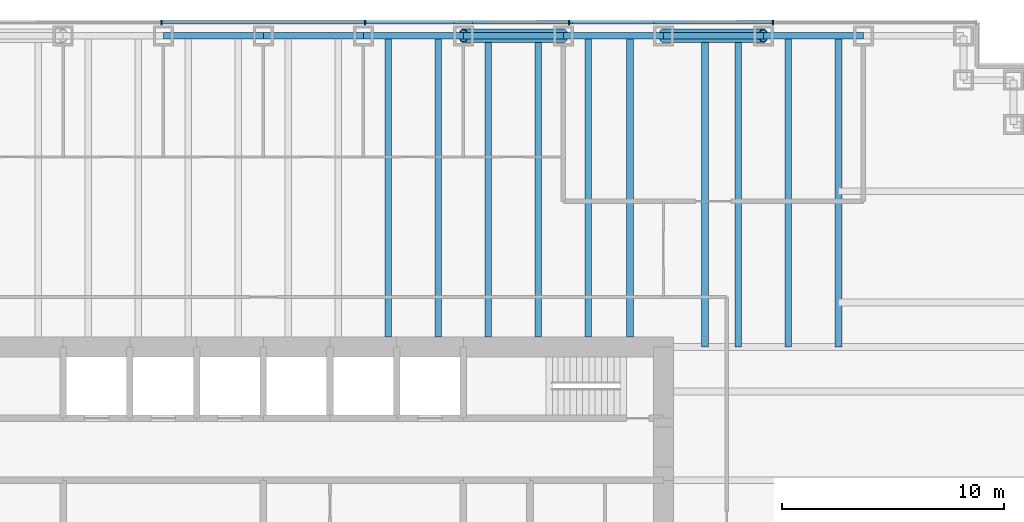
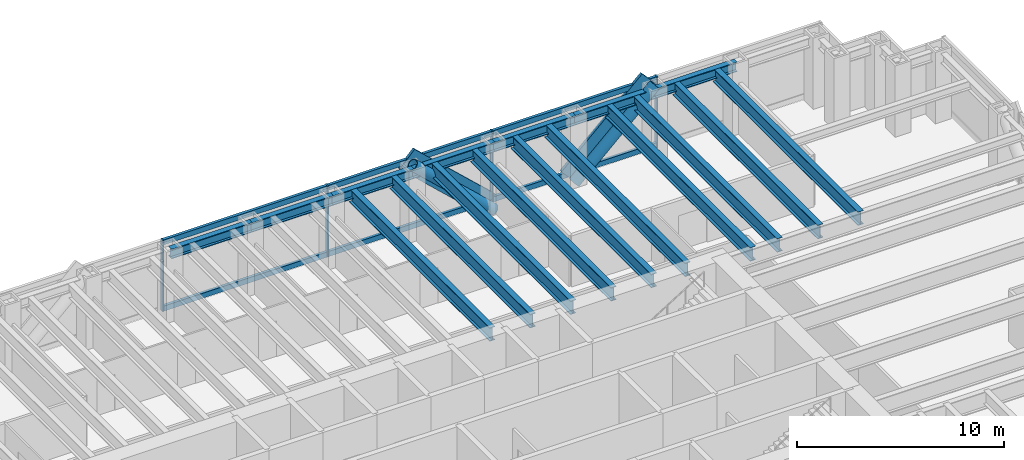
# One storey, part 7 of 15: 17 beams, 14 members, 1 element without a shape of its own.
"""IFC4 building model written with IfcOpenShell, lengths in metres."""

from ifc_helpers import new_model, si_unit, direction, frame, origin, origin_2d, place, context, subcontext, project, spatial, rectangle, hollow_circle, i_section, extrude, material, material_profile, profile_set, type_object, element, aggregate, save


model = new_model("IFC4")

# Units and contexts
model_context = context("Model", 3, precision=1e-05, world=origin(), true_north=direction((0.0, 1.0)))
body_context = subcontext(model_context, "Body", "Model", "MODEL_VIEW")
ifc_project = project(units=[si_unit("LENGTHUNIT", "METRE"), si_unit("AREAUNIT", "SQUARE_METRE"), si_unit("VOLUMEUNIT", "CUBIC_METRE"), si_unit("PLANEANGLEUNIT", "RADIAN"), si_unit("MASSUNIT", "GRAM", prefix="KILO")], contexts=[model_context])

# Site, building, storey
site_placement = place(None, origin())
site = spatial("IfcSite", under=ifc_project, at=site_placement, CompositionType="ELEMENT")
building_placement = place(site_placement, origin())
building = spatial("IfcBuilding", under=site, at=building_placement, Name="Rheinbord Bourse Tower", CompositionType="ELEMENT")
storey_placement = place(building_placement, frame((0.0, 0.0, 113.10009765625)))
storey = spatial("IfcBuildingStorey", under=building, at=storey_placement, Name="L24", CompositionType="ELEMENT", Elevation=113.10009765625)

# Curtain wall, members
ifc_material_1 = material(Name="Dark glass and black aluminium", Category="aluminium")
curtain_wall_type = type_object("IfcCurtainWallType", Name="CW2 DARK GLASS CURTAIN WALL", PredefinedType="USERDEFINED", material=ifc_material_1)
curtain_wall_placement = place(storey_placement, origin())
curtain_wall = element("IfcCurtainWall", 1, at=curtain_wall_placement, inside=storey, type_object=curtain_wall_type, Name="Curtain wall CW2 N L24", ObjectType="UNITISED CURTAIN WALL", PredefinedType="USERDEFINED")
ifc_material_2 = material(Name="Black anodised aluminium", Category="aluminium")
ifc_material_profile_1 = material_profile(ifc_material_2, rectangle(XDim=0.159912109375, YDim=1.2099609375, at=origin_2d()), Name="CW2 DIAGONAL MULLION 1210x160")
ifc_profile_set_1 = profile_set([ifc_material_profile_1], Name="Black anodised aluminium")
member_type_1 = type_object("IfcMemberType", Name="CW2 BLACK DIAGONAL MULLION", PredefinedType="USERDEFINED", material=ifc_profile_set_1)
member_1_placement = place(storey_placement, frame((54.0, 46.60009765625, 0.0), z_axis=(0.73105922506, 0.0, 0.682314010889), x_axis=(0.0, 1.0, 0.0)))
member_1 = element("IfcMember", 2, at=member_1_placement, type_object=member_type_1, Name="CW2 diagonal mullion b", ObjectType="DIAGONAL MULLION", PredefinedType="USERDEFINED", context=body_context, shape_type="SweptSolid", body=[
    extrude(rectangle(XDim=0.159912109375, YDim=1.2099609375, at=origin_2d()), origin(), (0.0, 0.0, 1.0), 6.155517578125),
])
member_2_placement = place(storey_placement, frame((49.5, 46.60009765625, 0.0), z_axis=(-0.73105922506, 0.0, 0.682314010889), x_axis=(0.0, -1.0, 0.0)))
member_2 = element("IfcMember", 3, at=member_2_placement, type_object=member_type_1, Name="CW2 diagonal mullion d", ObjectType="DIAGONAL MULLION", PredefinedType="USERDEFINED", context=body_context, shape_type="SweptSolid", body=[
    extrude(rectangle(XDim=0.159912109375, YDim=1.2099609375, at=origin_2d()), origin(), (0.0, 0.0, 1.0), 6.155517578125),
])
ifc_material_3 = material(Name="Black anodised aluminium", Category="aluminium")
ifc_material_profile_2 = material_profile(ifc_material_3, rectangle(XDim=0.219970703125, YDim=0.070068359375, at=origin_2d()), Name="CW2 MULLION 70x220")
ifc_profile_set_2 = profile_set([ifc_material_profile_2], Name="Black anodised aluminium")
member_type_2 = type_object("IfcMemberType", Name="CW2 BLACK MULLION", PredefinedType="MULLION", material=ifc_profile_set_2)
member_3_placement = place(storey_placement, frame((58.928466796875, 46.60009765625, 0.0), z_axis=(0.0, 0.0, 1.0), x_axis=(0.0, -1.0, 0.0)))
member_3 = element("IfcMember", 4, at=member_3_placement, type_object=member_type_2, Name="CW2 mullion 2", PredefinedType="MULLION", context=body_context, shape_type="SweptSolid", body=[
    extrude(rectangle(XDim=0.219970703125, YDim=0.070068359375, at=origin_2d()), origin(), (0.0, 0.0, 1.0), 4.199951171875),
])
member_4_placement = place(storey_placement, frame((49.757080078125, 46.60009765625, 0.0), z_axis=(0.0, 0.0, 1.0), x_axis=(0.0, -1.0, 0.0)))
member_4 = element("IfcMember", 5, at=member_4_placement, type_object=member_type_2, Name="CW2 mullion 3", PredefinedType="MULLION", context=body_context, shape_type="SweptSolid", body=[
    extrude(rectangle(XDim=0.219970703125, YDim=0.070068359375, at=origin_2d()), origin(), (0.0, 0.0, 1.0), 4.199951171875),
])
member_5_placement = place(storey_placement, frame((40.585693359375, 46.60009765625, 0.0), z_axis=(0.0, 0.0, 1.0), x_axis=(0.0, -1.0, 0.0)))
member_5 = element("IfcMember", 6, at=member_5_placement, type_object=member_type_2, Name="CW2 mullion 4", PredefinedType="MULLION", context=body_context, shape_type="SweptSolid", body=[
    extrude(rectangle(XDim=0.219970703125, YDim=0.070068359375, at=origin_2d()), origin(), (0.0, 0.0, 1.0), 4.199951171875),
])
member_6_placement = place(storey_placement, frame((31.414306640625, 46.60009765625, 0.0), z_axis=(0.0, 0.0, 1.0), x_axis=(0.0, -1.0, 0.0)))
member_6 = element("IfcMember", 7, at=member_6_placement, type_object=member_type_2, Name="CW2 mullion 5", PredefinedType="MULLION", context=body_context, shape_type="SweptSolid", body=[
    extrude(rectangle(XDim=0.219970703125, YDim=0.070068359375, at=origin_2d()), origin(), (0.0, 0.0, 1.0), 4.199951171875),
])
ifc_material_4 = material(Name="Black anodised aluminium", Category="aluminium")
ifc_material_profile_3 = material_profile(ifc_material_4, rectangle(XDim=0.159912109375, YDim=0.300048828125, at=origin_2d()), Name="CW2 TRANSOM 300x160")
ifc_profile_set_3 = profile_set([ifc_material_profile_3], Name="Black anodised aluminium")
member_type_3 = type_object("IfcMemberType", Name="CW2 BLACK TRANSOM", PredefinedType="USERDEFINED", material=ifc_profile_set_3)
member_7_placement = place(storey_placement, frame((58.8935546875, 46.60009765625, 0.14990234375), z_axis=(-1.0, 0.0, 0.0), x_axis=(0.0, -1.0, 0.0)))
member_7 = element("IfcMember", 8, at=member_7_placement, type_object=member_type_3, Name="CW2 transom 2.1", ObjectType="TRANSOM", PredefinedType="USERDEFINED", context=body_context, shape_type="SweptSolid", body=[
    extrude(rectangle(XDim=0.159912109375, YDim=0.300048828125, at=origin_2d()), origin(), (0.0, 0.0, 1.0), 9.101318359375),
])
member_8_placement = place(storey_placement, frame((58.8935546875, 46.60009765625, 4.0498046875), z_axis=(-1.0, 0.0, 0.0), x_axis=(0.0, -1.0, 0.0)))
member_8 = element("IfcMember", 9, at=member_8_placement, type_object=member_type_3, Name="CW2 transom 2.2", ObjectType="TRANSOM", PredefinedType="USERDEFINED", context=body_context, shape_type="SweptSolid", body=[
    extrude(rectangle(XDim=0.159912109375, YDim=0.300048828125, at=origin_2d()), origin(), (0.0, 0.0, 1.0), 9.101318359375),
])
member_9_placement = place(storey_placement, frame((49.72216796875, 46.60009765625, 0.14990234375), z_axis=(-1.0, 0.0, 0.0), x_axis=(0.0, -1.0, 0.0)))
member_9 = element("IfcMember", 10, at=member_9_placement, type_object=member_type_3, Name="CW2 transom 3.1", ObjectType="TRANSOM", PredefinedType="USERDEFINED", context=body_context, shape_type="SweptSolid", body=[
    extrude(rectangle(XDim=0.159912109375, YDim=0.300048828125, at=origin_2d()), origin(), (0.0, 0.0, 1.0), 9.1015625),
])
member_10_placement = place(storey_placement, frame((49.72216796875, 46.60009765625, 4.0498046875), z_axis=(-1.0, 0.0, 0.0), x_axis=(0.0, -1.0, 0.0)))
member_10 = element("IfcMember", 11, at=member_10_placement, type_object=member_type_3, Name="CW2 transom 3.2", ObjectType="TRANSOM", PredefinedType="USERDEFINED", context=body_context, shape_type="SweptSolid", body=[
    extrude(rectangle(XDim=0.159912109375, YDim=0.300048828125, at=origin_2d()), origin(), (0.0, 0.0, 1.0), 9.1015625),
])
member_11_placement = place(storey_placement, frame((40.55078125, 46.60009765625, 0.14990234375), z_axis=(-1.0, 0.0, 0.0), x_axis=(0.0, -1.0, 0.0)))
member_11 = element("IfcMember", 12, at=member_11_placement, type_object=member_type_3, Name="CW2 transom 4.1", ObjectType="TRANSOM", PredefinedType="USERDEFINED", context=body_context, shape_type="SweptSolid", body=[
    extrude(rectangle(XDim=0.159912109375, YDim=0.300048828125, at=origin_2d()), origin(), (0.0, 0.0, 1.0), 9.1015625),
])
member_12_placement = place(storey_placement, frame((40.55078125, 46.60009765625, 4.0498046875), z_axis=(-1.0, 0.0, 0.0), x_axis=(0.0, -1.0, 0.0)))
member_12 = element("IfcMember", 13, at=member_12_placement, type_object=member_type_3, Name="CW2 transom 4.2", ObjectType="TRANSOM", PredefinedType="USERDEFINED", context=body_context, shape_type="SweptSolid", body=[
    extrude(rectangle(XDim=0.159912109375, YDim=0.300048828125, at=origin_2d()), origin(), (0.0, 0.0, 1.0), 9.1015625),
])
aggregate(curtain_wall, [member_3, member_4, member_5, member_6, member_7, member_8, member_9, member_10, member_11, member_12, member_1, member_2])

# Beams
ifc_material_5 = material(Name="Steel S460", Category="steel")
ifc_material_profile_4 = material_profile(ifc_material_5, i_section(OverallWidth=0.300048828125, OverallDepth=0.800048828125, WebThickness=0.017578125, FlangeThickness=0.032958984375, at=origin_2d()), Name="HEB 800")
ifc_profile_set_4 = profile_set([ifc_material_profile_4], Name="Steel S460")
beam_type_1 = type_object("IfcBeamType", Name="FLOOR BEAM HEB 800", PredefinedType="BEAM", material=ifc_profile_set_4)
for number, where, z_axis, x_axis, name in (
    (14, (41.625, 46.0, 3.639892578125), (0.0, -1.0, 0.0), (1.0, 0.0, 0.0), "Floor beam N-40.5a L25"),
    (15, (43.875, 46.0, 3.639892578125), (0.0, -1.0, 0.0), (1.0, 0.0, 0.0), "Floor beam N-40.5b L25"),
    (16, (46.125, 46.0, 3.639892578125), (0.0, -1.0, 0.0), (1.0, 0.0, 0.0), "Floor beam N-45a L25"),
    (17, (48.375, 46.0, 3.639892578125), (0.0, -1.0, 0.0), (1.0, 0.0, 0.0), "Floor beam N-45b L25"),
    (18, (50.625, 46.0, 3.639892578125), (0.0, -1.0, 0.0), (1.0, 0.0, 0.0), "Floor beam N-49.5a L25"),
    (19, (52.5, 46.0, 3.639892578125), (0.0, -1.0, 0.0), (1.0, 0.0, 0.0), "Floor beam N-49.5b L25"),
):
    element("IfcBeam", number, at=place(storey_placement, frame(where, z_axis=z_axis, x_axis=x_axis)), inside=storey, type_object=beam_type_1, Name=name, PredefinedType="BEAM", context=body_context, shape_type="SweptSolid", body=[
        extrude(i_section(OverallWidth=0.300048828125, OverallDepth=0.800048828125, WebThickness=0.017578125, FlangeThickness=0.032958984375, at=origin_2d()), origin(), (0.0, 0.0, 1.0), 13.550048828125),
    ])
for number, where, z_axis, x_axis, name in (
    (20, (55.875, 46.0, 3.639892578125), (0.0, -1.0, 0.0), (1.0, 0.0, 0.0), "Floor beam N-54a L25"),
    (21, (57.375, 46.0, 3.639892578125), (0.0, -1.0, 0.0), (1.0, 0.0, 0.0), "Floor beam N-54b L25"),
    (22, (59.625, 46.0, 3.639892578125), (0.0, -1.0, 0.0), (1.0, 0.0, 0.0), "Floor beam N-58.5a L25"),
    (23, (61.875, 46.0, 3.639892578125), (0.0, -1.0, 0.0), (1.0, 0.0, 0.0), "Floor beam N-58.5b L25"),
):
    element("IfcBeam", number, at=place(storey_placement, frame(where, z_axis=z_axis, x_axis=x_axis)), inside=storey, type_object=beam_type_1, Name=name, PredefinedType="BEAM", context=body_context, shape_type="SweptSolid", body=[
        extrude(i_section(OverallWidth=0.300048828125, OverallDepth=0.800048828125, WebThickness=0.017578125, FlangeThickness=0.032958984375, at=origin_2d()), origin(), (0.0, 0.0, 1.0), 14.0),
    ])

# Members
ifc_material_6 = material(Name="Steel S460", Category="steel")
ifc_material_profile_5 = material_profile(ifc_material_6, hollow_circle(Radius=0.304931640625, WallThickness=0.0400390625, at=origin_2d()), Name="CHS 610x40")
ifc_profile_set_5 = profile_set([ifc_material_profile_5], Name="Steel S460")
member_type_4 = type_object("IfcMemberType", Name="MEGABRACE CHS 610x40", PredefinedType="BRACE", material=ifc_profile_set_5)
for number, where, z_axis, x_axis, name in (
    (24, (54.0, 46.0, 0.0), (0.73105922506, 0.0, 0.682314010889), (0.0, 1.0, 0.0), "Megabrace N face line b L24"),
    (25, (49.5, 46.0, 0.0), (-0.73105922506, 0.0, 0.682314010889), (0.0, -1.0, 0.0), "Megabrace N face line d L24"),
):
    element("IfcMember", number, at=place(storey_placement, frame(where, z_axis=z_axis, x_axis=x_axis)), inside=storey, type_object=member_type_4, Name=name, PredefinedType="BRACE", context=body_context, shape_type="SweptSolid", body=[
        extrude(hollow_circle(Radius=0.304931640625, WallThickness=0.0400390625, at=origin_2d()), origin(), (0.0, 0.0, 1.0), 6.155517578125),
    ])

# Beams
ifc_material_7 = material(Name="Steel S460", Category="steel")
ifc_material_profile_6 = material_profile(ifc_material_7, i_section(OverallWidth=0.305908203125, OverallDepth=0.572021484375, WebThickness=0.02099609375, FlangeThickness=0.0400390625, at=origin_2d()), Name="HEM 550")
ifc_profile_set_6 = profile_set([ifc_material_profile_6], Name="Steel S460")
beam_type_2 = type_object("IfcBeamType", Name="SPANDREL HEM 550", PredefinedType="SPANDREL", material=ifc_profile_set_6)
for number, where, z_axis, x_axis, name in (
    (26, (63.0, 46.0, 3.75390625), (-1.0, 0.0, 0.0), (0.0, -1.0, 0.0), "Spandrel N-63-N-58.5 under L25"),
    (27, (58.5, 46.0, 3.75390625), (-1.0, 0.0, 0.0), (0.0, -1.0, 0.0), "Spandrel N-58.5-N-54 under L25"),
    (28, (54.0, 46.0, 3.75390625), (-1.0, 0.0, 0.0), (0.0, -1.0, 0.0), "Spandrel N-54-N-49.5 under L25"),
    (29, (49.5, 46.0, 3.75390625), (-1.0, 0.0, 0.0), (0.0, -1.0, 0.0), "Spandrel N-49.5-N-45 under L25"),
    (30, (45.0, 46.0, 3.75390625), (-1.0, 0.0, 0.0), (0.0, -1.0, 0.0), "Spandrel N-45-N-40.5 under L25"),
    (31, (40.5, 46.0, 3.75390625), (-1.0, 0.0, 0.0), (0.0, -1.0, 0.0), "Spandrel N-40.5-N-36 under L25"),
    (32, (36.0, 46.0, 3.75390625), (-1.0, 0.0, 0.0), (0.0, -1.0, 0.0), "Spandrel N-36-N-31.5 under L25"),
):
    element("IfcBeam", number, at=place(storey_placement, frame(where, z_axis=z_axis, x_axis=x_axis)), inside=storey, type_object=beam_type_2, Name=name, PredefinedType="SPANDREL", context=body_context, shape_type="SweptSolid", body=[
        extrude(i_section(OverallWidth=0.305908203125, OverallDepth=0.572021484375, WebThickness=0.02099609375, FlangeThickness=0.0400390625, at=origin_2d()), origin(), (0.0, 0.0, 1.0), 4.5),
    ])

save(model, "model.ifc")
